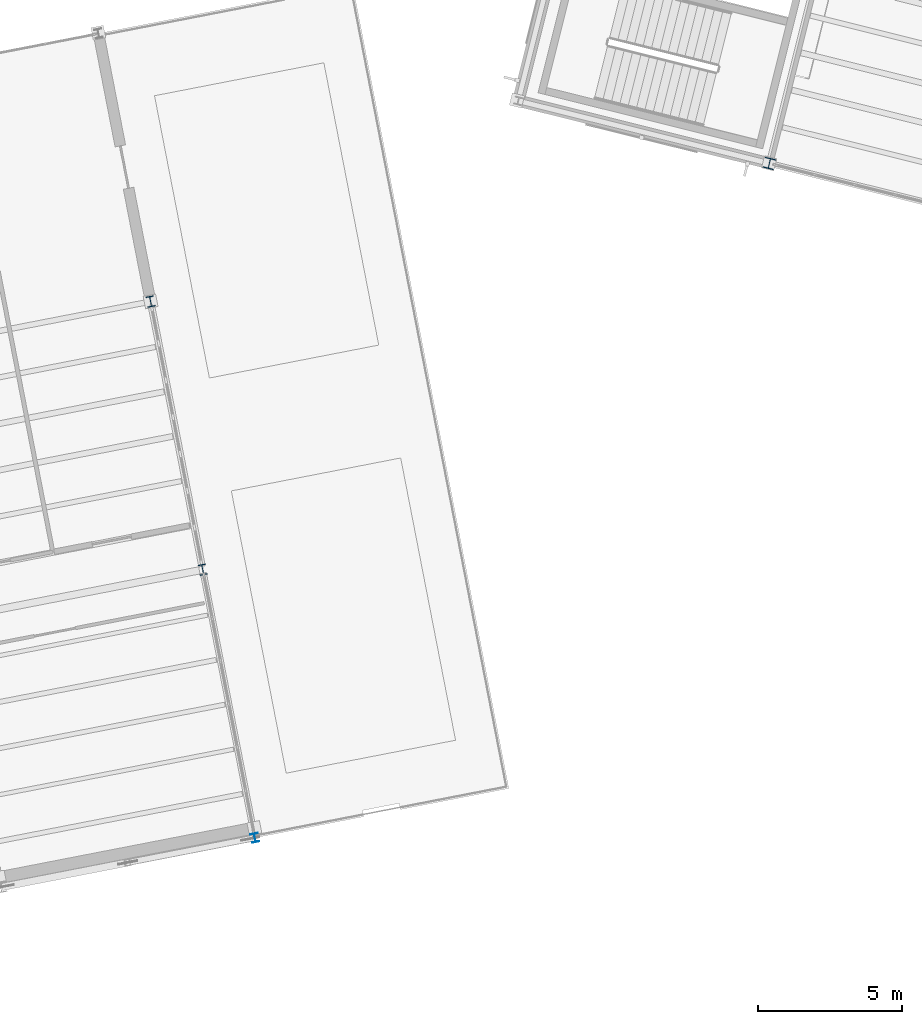
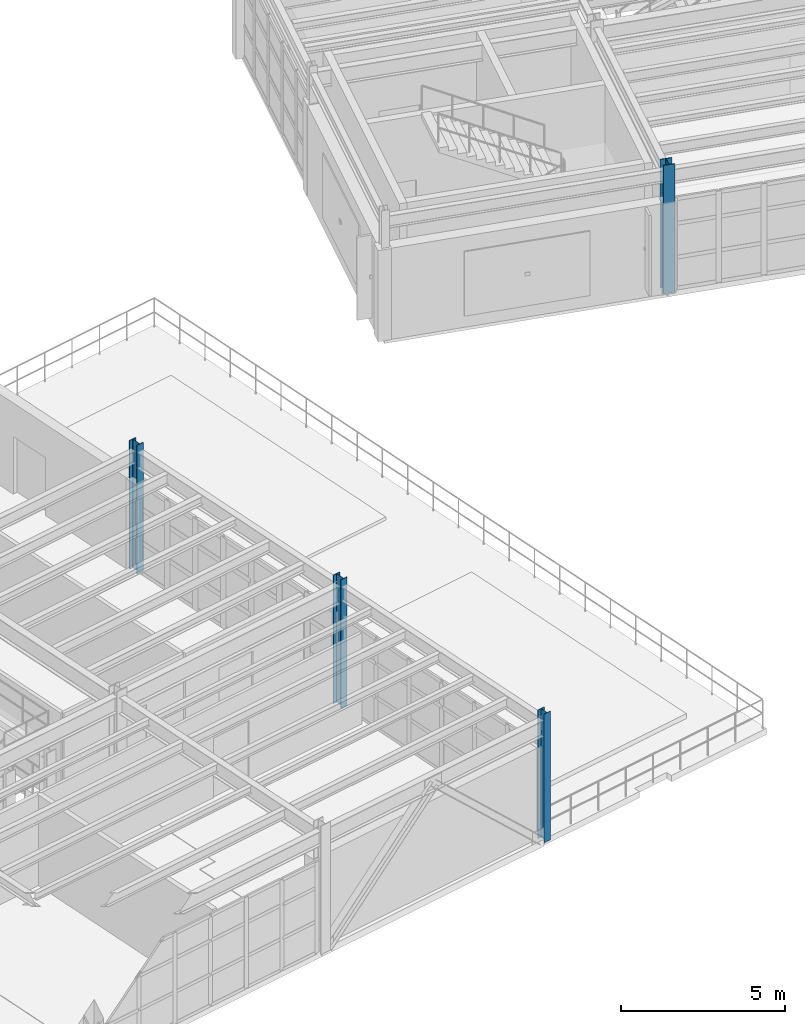
# One storey, part 3 of 109: 4 columns.
"""IFC4 building model written with IfcOpenShell, lengths in metres."""

from ifc_helpers import new_model, si_unit, direction, frame, origin, origin_2d, place, context, subcontext, project, spatial, i_section, extrude, material, material_profile, profile_set, type_object, element, save


model = new_model("IFC4")

# Units and contexts
model_context = context("Model", 3, precision=1e-05, world=origin(), true_north=direction((0.0, 1.0)))
body_context = subcontext(model_context, "Body", "Model", "MODEL_VIEW")
ifc_project = project(units=[si_unit("LENGTHUNIT", "METRE"), si_unit("AREAUNIT", "SQUARE_METRE"), si_unit("VOLUMEUNIT", "CUBIC_METRE"), si_unit("PLANEANGLEUNIT", "RADIAN"), si_unit("MASSUNIT", "GRAM", prefix="KILO")], contexts=[model_context])

# Site, building, storey
site_placement = place(None, origin())
site = spatial("IfcSite", under=ifc_project, at=site_placement, CompositionType="ELEMENT")
building_placement = place(site_placement, origin())
building = spatial("IfcBuilding", under=site, at=building_placement, Name="Vireo Bluff Cable Station", CompositionType="ELEMENT")
storey_placement = place(building_placement, frame((0.0, 0.0, 4.800048828125)))
storey = spatial("IfcBuildingStorey", under=building, at=storey_placement, Name="L01", CompositionType="ELEMENT", Elevation=4.800048828125)

# Columns
ifc_material = material(Name="Steel ASTM A992 Gr. 50", Category="steel")
ifc_material_profile_1 = material_profile(ifc_material, i_section(OverallWidth=0.257080078125, OverallDepth=0.363037109375, WebThickness=0.012939453125, FlangeThickness=0.021728515625, FilletRadius=0.014892578125, at=origin_2d()), Name="W14X82")
ifc_profile_set_1 = profile_set([ifc_material_profile_1], Name="Steel ASTM A992 Gr. 50")
column_type_1 = type_object("IfcColumnType", Name="ECOL-W14X82", PredefinedType="COLUMN", material=ifc_profile_set_1)
for number, where, z_axis, x_axis, name in (
    (1, (43.02587890625, 21.694580078125, 0.0), (0.0, 0.0, 1.0), (0.981627183448, 0.190808995377, 0.0), "V5 L01 column 377"),
    (2, (41.213134765625, 31.02001953125, 0.0), (0.0, 0.0, 1.0), (0.981627183448, 0.190808995377, 0.0), "V5 L01 column 379"),
):
    element("IfcColumn", number, at=place(storey_placement, frame(where, z_axis=z_axis, x_axis=x_axis)), inside=storey, type_object=column_type_1, Name=name, PredefinedType="COLUMN", context=body_context, shape_type="SweptSolid", body=[
        extrude(i_section(OverallWidth=0.257080078125, OverallDepth=0.363037109375, WebThickness=0.012939453125, FlangeThickness=0.021728515625, FilletRadius=0.014892578125, at=origin_2d()), origin(), (0.0, 0.0, 1.0), 4.800048828125),
    ])
ifc_material_profile_2 = material_profile(ifc_material, i_section(OverallWidth=0.3701171875, OverallDepth=0.360107421875, WebThickness=0.01220703125, FlangeThickness=0.019775390625, FilletRadius=0.014892578125, at=origin_2d()), Name="W14X99")
ifc_profile_set_2 = profile_set([ifc_material_profile_2], Name="Steel ASTM A992 Gr. 50")
column_type_2 = type_object("IfcColumnType", Name="ECOL-W14X99", PredefinedType="COLUMN", material=ifc_profile_set_2)
column_1_placement = place(storey_placement, frame((62.732666015625, 35.82275390625, 0.0), z_axis=(0.0, 0.0, 1.0), x_axis=(0.970295726276, -0.2419218956, 0.0)))
element("IfcColumn", 3, at=column_1_placement, inside=storey, type_object=column_type_2, Name="V1 L01 column 22", PredefinedType="COLUMN", context=body_context, shape_type="SweptSolid", body=[
    extrude(i_section(OverallWidth=0.3701171875, OverallDepth=0.360107421875, WebThickness=0.01220703125, FlangeThickness=0.019775390625, FilletRadius=0.014892578125, at=origin_2d()), origin(), (0.0, 0.0, 1.0), 4.800048828125),
])
ifc_material_profile_3 = material_profile(ifc_material, i_section(OverallWidth=0.25390625, OverallDepth=0.305908203125, WebThickness=0.0087890625, FlangeThickness=0.0146484375, FilletRadius=0.010986328125, at=origin_2d()), Name="W12X53")
ifc_profile_set_3 = profile_set([ifc_material_profile_3], Name="Steel ASTM A992 Gr. 50")
column_type_3 = type_object("IfcColumnType", Name="PIL-W12X53", PredefinedType="PILASTER", material=ifc_profile_set_3)
column_2_placement = place(storey_placement, frame((44.838623046875, 12.369140625, 0.0), z_axis=(0.0, 0.0, 1.0), x_axis=(0.981627183448, 0.190808995377, 0.0)))
element("IfcColumn", 4, at=column_2_placement, inside=storey, type_object=column_type_3, Name="V5 L01 column 375", PredefinedType="PILASTER", context=body_context, shape_type="SweptSolid", body=[
    extrude(i_section(OverallWidth=0.25390625, OverallDepth=0.305908203125, WebThickness=0.0087890625, FlangeThickness=0.0146484375, FilletRadius=0.010986328125, at=origin_2d()), origin(), (0.0, 0.0, 1.0), 4.800048828125),
])

save(model, "model.ifc")
